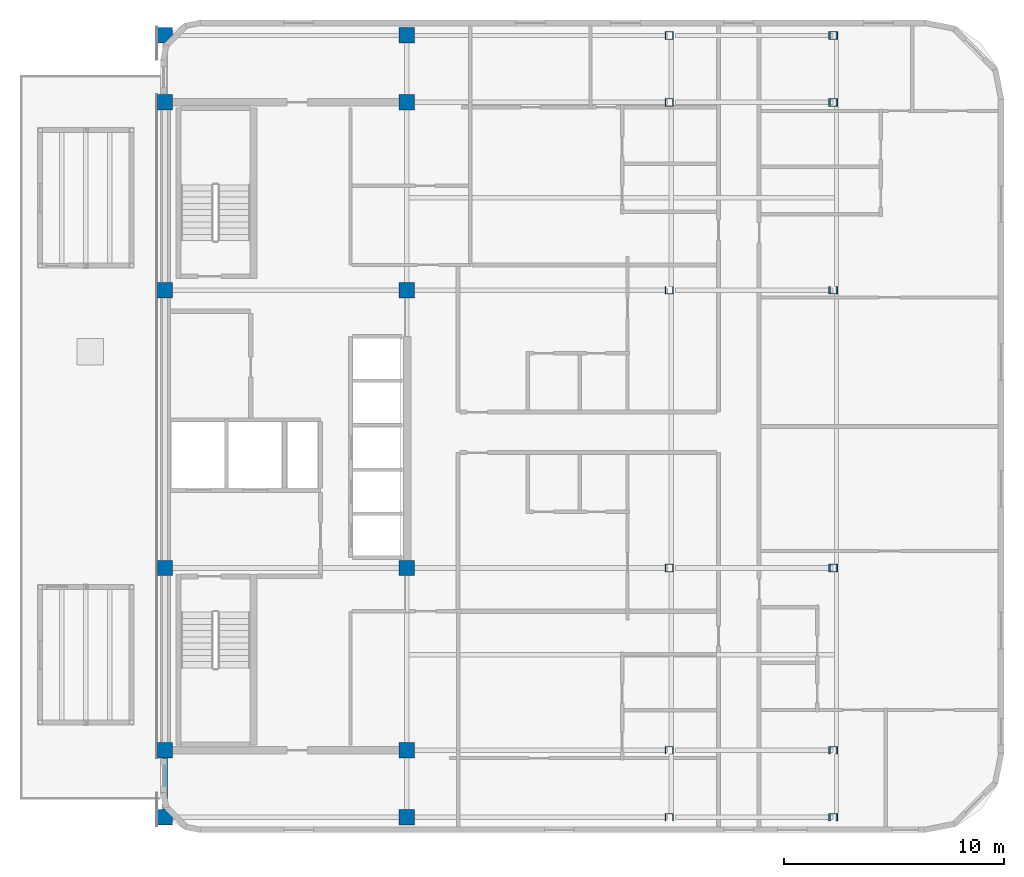
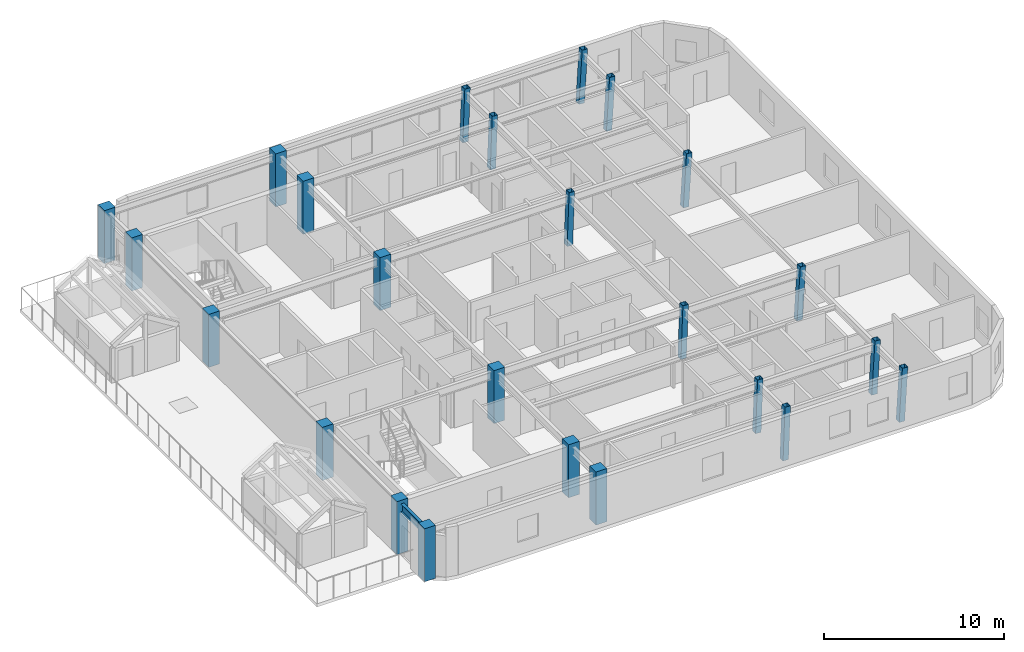
# One storey, part 1 of 13: 24 columns, 1 beam.
"""IFC4 building model written with IfcOpenShell, lengths in metres."""

from ifc_helpers import new_model, si_unit, direction, frame, origin, origin_2d, place, context, subcontext, project, spatial, rectangle, hollow_rectangle, i_section, extrude, material, material_profile, profile_set, type_object, element, save


model = new_model("IFC4")

# Units and contexts
model_context = context("Model", 3, precision=1e-05, world=origin(), true_north=direction((0.0, 1.0)))
body_context = subcontext(model_context, "Body", "Model", "MODEL_VIEW")
ifc_project = project(units=[si_unit("LENGTHUNIT", "METRE"), si_unit("AREAUNIT", "SQUARE_METRE"), si_unit("VOLUMEUNIT", "CUBIC_METRE"), si_unit("PLANEANGLEUNIT", "RADIAN"), si_unit("MASSUNIT", "GRAM", prefix="KILO")], contexts=[model_context])

# Site, building, storey
site_placement = place(None, origin())
site = spatial("IfcSite", under=ifc_project, at=site_placement, CompositionType="ELEMENT")
building_placement = place(site_placement, origin())
building = spatial("IfcBuilding", under=site, at=building_placement, Name="Ochreholt Gables", CompositionType="ELEMENT")
storey_placement = place(building_placement, frame((0.0, 0.0, 205.800048828125)))
storey = spatial("IfcBuildingStorey", under=building, at=storey_placement, Name="L53", CompositionType="ELEMENT", Elevation=205.800048828125)

# Columns
ifc_material_1 = material(Name="Steel CSA G40.21 350W", Category="steel")
ifc_material_profile_1 = material_profile(ifc_material_1, hollow_rectangle(XDim=0.35595703125, YDim=0.35595703125, WallThickness=0.01611328125, at=origin_2d()), Name="HSS356X356X16")
ifc_profile_set_1 = profile_set([ifc_material_profile_1], Name="Steel CSA G40.21 350W")
column_type_1 = type_object("IfcColumnType", Name="COL-HSS356-RAK", PredefinedType="COLUMN", material=ifc_profile_set_1)
for number, where, z_axis, x_axis, name in (
    (1, (47.138916015625, 9.25, 0.0), (0.034973505036, 0.0, 0.999388239847), (0.0, 1.0, 0.0), "L53 Column EMY2"),
    (2, (47.138916015625, 17.550048828125, 0.0), (0.034973505036, 0.0, 0.999388239847), (0.0, 1.0, 0.0), "L53 Column EMY3"),
    (3, (47.138916015625, 30.199951171875, 0.0), (0.034973505036, 0.0, 0.999388239847), (0.0, 1.0, 0.0), "L53 Column EMY4"),
    (4, (47.138916015625, 38.75, 0.0), (0.034973505036, 0.0, 0.999388239847), (0.0, 1.0, 0.0), "L53 Column EMY5"),
):
    element("IfcColumn", number, at=place(storey_placement, frame(where, z_axis=z_axis, x_axis=x_axis)), inside=storey, type_object=column_type_1, Name=name, PredefinedType="COLUMN", context=body_context, shape_type="SweptSolid", body=[
        extrude(hollow_rectangle(XDim=0.35595703125, YDim=0.35595703125, WallThickness=0.01611328125, at=origin_2d()), origin(), (0.0, 0.0, 1.0), 3.60205078125),
    ])
ifc_material_profile_2 = material_profile(ifc_material_1, hollow_rectangle(XDim=0.35595703125, YDim=0.35595703125, WallThickness=0.01611328125, at=origin_2d()), Name="HSS356X356X16")
ifc_profile_set_2 = profile_set([ifc_material_profile_2], Name="Steel CSA G40.21 350W")
column_type_2 = type_object("IfcColumnType", Name="COL-HSS356-RAKE", PredefinedType="COLUMN", material=ifc_profile_set_2)
for number, where, z_axis, x_axis, name in (
    (5, (47.138916015625, 6.199951171875, 0.0), (0.034973505036, 0.0, 0.999388239847), (0.0, 1.0, 0.0), "L53 Column EMY1"),
    (6, (47.138916015625, 41.800048828125, 0.0), (0.034973505036, 0.0, 0.999388239847), (0.0, 1.0, 0.0), "L53 Column EMY6"),
):
    element("IfcColumn", number, at=place(storey_placement, frame(where, z_axis=z_axis, x_axis=x_axis)), inside=storey, type_object=column_type_2, Name=name, PredefinedType="COLUMN", context=body_context, shape_type="SweptSolid", body=[
        extrude(hollow_rectangle(XDim=0.35595703125, YDim=0.35595703125, WallThickness=0.01611328125, at=origin_2d()), origin(), (0.0, 0.0, 1.0), 3.60205078125),
    ])
for number, where, z_axis, x_axis, name in (
    (7, (54.59326171875, 6.199951171875, 0.0), (0.057888518877, 0.0, 0.998323053617), (0.0, 1.0, 0.0), "L53 Column EEY1"),
    (8, (54.59326171875, 9.25, 0.0), (0.057888518877, 0.0, 0.998323053617), (0.0, 1.0, 0.0), "L53 Column EEY2"),
    (9, (54.59326171875, 17.550048828125, 0.0), (0.057888518877, 0.0, 0.998323053617), (0.0, 1.0, 0.0), "L53 Column EEY3"),
    (10, (54.59326171875, 30.199951171875, 0.0), (0.057888518877, 0.0, 0.998323053617), (0.0, 1.0, 0.0), "L53 Column EEY4"),
    (11, (54.59326171875, 38.75, 0.0), (0.057888518877, 0.0, 0.998323053617), (0.0, 1.0, 0.0), "L53 Column EEY5"),
    (12, (54.59326171875, 41.800048828125, 0.0), (0.057888518877, 0.0, 0.998323053617), (0.0, 1.0, 0.0), "L53 Column EEY6"),
):
    element("IfcColumn", number, at=place(storey_placement, frame(where, z_axis=z_axis, x_axis=x_axis)), inside=storey, type_object=column_type_2, Name=name, PredefinedType="COLUMN", context=body_context, shape_type="SweptSolid", body=[
        extrude(hollow_rectangle(XDim=0.35595703125, YDim=0.35595703125, WallThickness=0.01611328125, at=origin_2d()), origin(), (0.0, 0.0, 1.0), 3.60595703125),
    ])
ifc_material_2 = material(Name="Concrete 50 MPa", Category="concrete")
ifc_material_profile_3 = material_profile(ifc_material_2, rectangle(XDim=0.699951171875, YDim=0.699951171875, at=origin_2d()), Name="RC700X700")
ifc_profile_set_3 = profile_set([ifc_material_profile_3], Name="Concrete 50 MPa")
column_type_3 = type_object("IfcColumnType", Name="COL-RC700-EXT", PredefinedType="COLUMN", material=ifc_profile_set_3)
for number, where, z_axis, x_axis, name in (
    (13, (24.199951171875, 6.199951171875, 0.0), (0.0, 0.0, 1.0), (1.0, 0.0, 0.0), "L53 Column C1Y1"),
    (14, (24.199951171875, 9.25, 0.0), (0.0, 0.0, 1.0), (1.0, 0.0, 0.0), "L53 Column C1Y2"),
    (15, (24.199951171875, 17.550048828125, 0.0), (0.0, 0.0, 1.0), (1.0, 0.0, 0.0), "L53 Column C1Y3"),
    (16, (24.199951171875, 30.199951171875, 0.0), (0.0, 0.0, 1.0), (1.0, 0.0, 0.0), "L53 Column C1Y4"),
    (17, (24.199951171875, 38.75, 0.0), (0.0, 0.0, 1.0), (1.0, 0.0, 0.0), "L53 Column C1Y5"),
    (18, (24.199951171875, 41.800048828125, 0.0), (0.0, 0.0, 1.0), (1.0, 0.0, 0.0), "L53 Column C1Y6"),
    (19, (35.199951171875, 6.199951171875, 0.0), (0.0, 0.0, 1.0), (1.0, 0.0, 0.0), "L53 Column C2Y1"),
    (20, (35.199951171875, 41.800048828125, 0.0), (0.0, 0.0, 1.0), (1.0, 0.0, 0.0), "L53 Column C2Y6"),
):
    element("IfcColumn", number, at=place(storey_placement, frame(where, z_axis=z_axis, x_axis=x_axis)), inside=storey, type_object=column_type_3, Name=name, PredefinedType="COLUMN", context=body_context, shape_type="SweptSolid", body=[
        extrude(rectangle(XDim=0.699951171875, YDim=0.699951171875, at=origin_2d()), origin(), (0.0, 0.0, 1.0), 3.599853515625),
    ])
ifc_material_profile_4 = material_profile(ifc_material_2, rectangle(XDim=0.699951171875, YDim=0.699951171875, at=origin_2d()), Name="RC700X700")
ifc_profile_set_4 = profile_set([ifc_material_profile_4], Name="Concrete 50 MPa")
column_type_4 = type_object("IfcColumnType", Name="COL-RC700-INT", PredefinedType="COLUMN", material=ifc_profile_set_4)
for number, where, z_axis, x_axis, name in (
    (21, (35.199951171875, 9.25, 0.0), (0.0, 0.0, 1.0), (1.0, 0.0, 0.0), "L53 Column C2Y2"),
    (22, (35.199951171875, 17.550048828125, 0.0), (0.0, 0.0, 1.0), (1.0, 0.0, 0.0), "L53 Column C2Y3"),
    (23, (35.199951171875, 30.199951171875, 0.0), (0.0, 0.0, 1.0), (1.0, 0.0, 0.0), "L53 Column C2Y4"),
    (24, (35.199951171875, 38.75, 0.0), (0.0, 0.0, 1.0), (1.0, 0.0, 0.0), "L53 Column C2Y5"),
):
    element("IfcColumn", number, at=place(storey_placement, frame(where, z_axis=z_axis, x_axis=x_axis)), inside=storey, type_object=column_type_4, Name=name, PredefinedType="COLUMN", context=body_context, shape_type="SweptSolid", body=[
        extrude(rectangle(XDim=0.699951171875, YDim=0.699951171875, at=origin_2d()), origin(), (0.0, 0.0, 1.0), 3.599853515625),
    ])

# Beam
ifc_material_profile_5 = material_profile(ifc_material_1, i_section(OverallWidth=0.2109375, OverallDepth=0.5390625, WebThickness=0.01171875, FlangeThickness=0.018798828125, at=origin_2d()), Name="W530X109")
ifc_profile_set_5 = profile_set([ifc_material_profile_5], Name="Steel CSA G40.21 350W")
beam_type = type_object("IfcBeamType", Name="BM-G-W530A", PredefinedType="BEAM", material=ifc_profile_set_5)
beam_placement = place(storey_placement, frame((24.199951171875, 6.549560546875, 3.09033203125), z_axis=(0.0, 1.0, 0.0), x_axis=(-1.0, 0.0, 0.0)))
element("IfcBeam", 25, at=beam_placement, inside=storey, type_object=beam_type, Name="L53 Beam TBN-L53-C1-Y1Y2", PredefinedType="BEAM", context=body_context, shape_type="SweptSolid", body=[
    extrude(i_section(OverallWidth=0.2109375, OverallDepth=0.5390625, WebThickness=0.01171875, FlangeThickness=0.018798828125, at=origin_2d()), origin(), (0.0, 0.0, 1.0), 2.350830078125),
])

save(model, "model.ifc")
